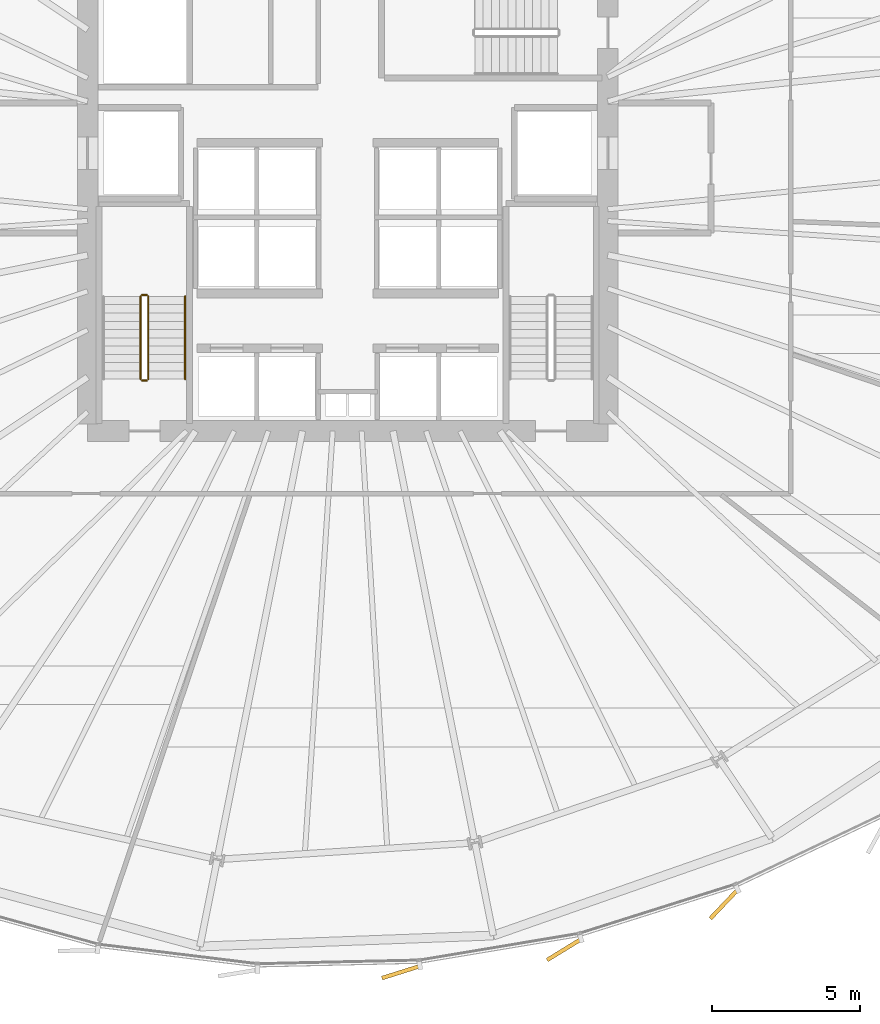
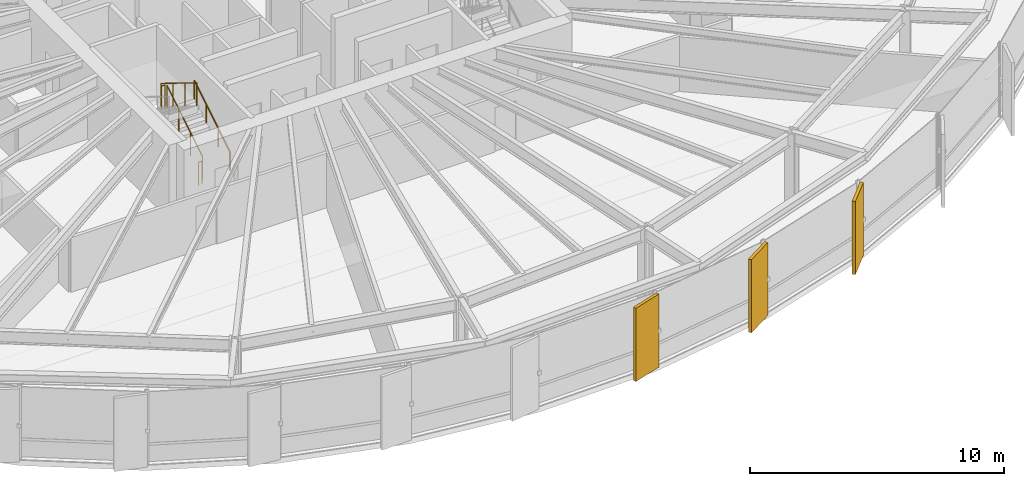
# One storey, part 35 of 38: 5 railings, 3 coverings.
"""IFC4 building model written with IfcOpenShell, lengths in metres."""

from ifc_helpers import new_model, si_unit, direction, frame, origin, origin_2d, place, context, subcontext, project, spatial, rectangle, circle, extrude, source, transform, mapped, material, layer, layer_set, type_object, element, save


model = new_model("IFC4")

# Units and contexts
model_context = context("Model", 3, precision=1e-05, world=origin(), true_north=direction((0.0, 1.0)))
body_context = subcontext(model_context, "Body", "Model", "MODEL_VIEW")
ifc_project = project(units=[si_unit("LENGTHUNIT", "METRE"), si_unit("AREAUNIT", "SQUARE_METRE"), si_unit("VOLUMEUNIT", "CUBIC_METRE"), si_unit("PLANEANGLEUNIT", "RADIAN"), si_unit("MASSUNIT", "GRAM", prefix="KILO"), si_unit("THERMODYNAMICTEMPERATUREUNIT", "KELVIN")], contexts=[model_context])

# Site, building, storey
site_placement = place(None, origin())
site = spatial("IfcSite", under=ifc_project, at=site_placement, CompositionType="ELEMENT")
building_placement = place(site_placement, origin())
building = spatial("IfcBuilding", under=site, at=building_placement, Name="Kethvar Cultural Tower", CompositionType="ELEMENT")
storey_placement = place(building_placement, frame((0.0, 0.0, 52.39990234375)))
storey = spatial("IfcBuildingStorey", under=building, at=storey_placement, Name="L12", CompositionType="ELEMENT", Elevation=52.39990234375)

# Railings
ifc_material_1 = material(Name="Steel S355J2", Category="steel")
railing_type_1 = type_object("IfcRailingType", Name="RL-STAIR-GUARD", PredefinedType="BALUSTRADE", material=ifc_material_1)
railing_1_placement = place(storey_placement, frame((40.050048828125, 21.85009765625, 0.1728515625)))
element("IfcRailing", 1, at=railing_1_placement, inside=storey, type_object=railing_type_1, Name="L12 ST-01 stair guard 1", PredefinedType="BALUSTRADE", context=body_context, shape_type="SweptSolid", body=[
    extrude(circle(Radius=0.02392578125, at=origin_2d()), frame((0.0, 0.0, 1.09619140625), z_axis=(0.0, 0.851069175582, 0.525053576669), x_axis=(-1.0, 0.0, 0.0)), (0.0, 0.0, 1.0), 3.289794921875),
    extrude(circle(Radius=0.02099609375, at=origin_2d()), origin(), (0.0, 0.0, 1.0), 1.072021484375),
    extrude(circle(Radius=0.02099609375, at=origin_2d()), frame((0.0, 0.933349609375, 0.57568359375)), (0.0, 0.0, 1.0), 1.072021484375),
    extrude(circle(Radius=0.02099609375, at=origin_2d()), frame((0.0, 1.866455078125, 1.151611328125)), (0.0, 0.0, 1.0), 1.072021484375),
    extrude(circle(Radius=0.02099609375, at=origin_2d()), frame((0.0, 2.7998046875, 1.727294921875)), (0.0, 0.0, 1.0), 1.072021484375),
])
railing_2_placement = place(storey_placement, frame((40.0, 24.699951171875, 1.900146484375)))
element("IfcRailing", 2, at=railing_2_placement, inside=storey, type_object=railing_type_1, Name="L12 ST-01 stair guard 2", PredefinedType="BALUSTRADE", context=body_context, shape_type="SweptSolid", body=[
    extrude(circle(Radius=0.02392578125, at=origin_2d()), frame((0.0, 0.0, 1.09619140625), z_axis=(-1.0, 0.0, 0.0), x_axis=(0.0, -1.0, 0.0)), (0.0, 0.0, 1.0), 0.159912109375),
    extrude(circle(Radius=0.02099609375, at=origin_2d()), origin(), (0.0, 0.0, 1.0), 1.072021484375),
    extrude(circle(Radius=0.02099609375, at=origin_2d()), frame((-0.159912109375, 0.0, 0.0)), (0.0, 0.0, 1.0), 1.072021484375),
])
railing_3_placement = place(storey_placement, frame((39.7900390625, 24.64990234375, 2.07275390625)))
element("IfcRailing", 3, at=railing_3_placement, inside=storey, type_object=railing_type_1, Name="L12 ST-01 stair guard 3", PredefinedType="BALUSTRADE", context=body_context, shape_type="SweptSolid", body=[
    extrude(circle(Radius=0.02392578125, at=origin_2d()), frame((0.0, 0.0, 1.09619140625), z_axis=(0.0, -0.851069175582, 0.525053576669), x_axis=(1.0, 0.0, 0.0)), (0.0, 0.0, 1.0), 3.289794921875),
    extrude(circle(Radius=0.02099609375, at=origin_2d()), origin(), (0.0, 0.0, 1.0), 1.072021484375),
    extrude(circle(Radius=0.02099609375, at=origin_2d()), frame((0.0, -0.933349609375, 0.57568359375)), (0.0, 0.0, 1.0), 1.072021484375),
    extrude(circle(Radius=0.02099609375, at=origin_2d()), frame((0.0, -1.866455078125, 1.151611328125)), (0.0, 0.0, 1.0), 1.072021484375),
    extrude(circle(Radius=0.02099609375, at=origin_2d()), frame((0.0, -2.7998046875, 1.727294921875)), (0.0, 0.0, 1.0), 1.072021484375),
])
railing_4_placement = place(storey_placement, frame((40.0, 21.800048828125, 0.0)))
element("IfcRailing", 4, at=railing_4_placement, inside=storey, type_object=railing_type_1, Name="L12 ST-01 stair guard 4", PredefinedType="BALUSTRADE", context=body_context, shape_type="SweptSolid", body=[
    extrude(circle(Radius=0.02392578125, at=origin_2d()), frame((0.0, 0.0, 1.09619140625), z_axis=(-1.0, 0.0, 0.0), x_axis=(0.0, -1.0, 0.0)), (0.0, 0.0, 1.0), 0.159912109375),
    extrude(circle(Radius=0.02099609375, at=origin_2d()), origin(), (0.0, 0.0, 1.0), 1.072021484375),
    extrude(circle(Radius=0.02099609375, at=origin_2d()), frame((-0.159912109375, 0.0, 0.0)), (0.0, 0.0, 1.0), 1.072021484375),
])
railing_type_2 = type_object("IfcRailingType", Name="RL-STAIR-HANDRAIL", PredefinedType="HANDRAIL", material=ifc_material_1)
railing_5_placement = place(storey_placement, frame((41.300048828125, 21.85009765625, 0.1728515625)))
element("IfcRailing", 5, at=railing_5_placement, inside=storey, type_object=railing_type_2, Name="L12 ST-01 stair handrail 1", PredefinedType="HANDRAIL", context=body_context, shape_type="SweptSolid", body=[
    extrude(circle(Radius=0.02392578125, at=origin_2d()), frame((0.0, 0.0, 0.8759765625), z_axis=(0.0, 0.851069175582, 0.525053576669), x_axis=(-1.0, 0.0, 0.0)), (0.0, 0.0, 1.0), 3.289794921875),
    extrude(circle(Radius=0.02099609375, at=origin_2d()), origin(), (0.0, 0.0, 1.0), 0.851806640625),
    extrude(circle(Radius=0.02099609375, at=origin_2d()), frame((0.0, 0.933349609375, 0.57568359375)), (0.0, 0.0, 1.0), 0.851806640625),
    extrude(circle(Radius=0.02099609375, at=origin_2d()), frame((0.0, 1.866455078125, 1.151611328125)), (0.0, 0.0, 1.0), 0.851806640625),
    extrude(circle(Radius=0.02099609375, at=origin_2d()), frame((0.0, 2.7998046875, 1.727294921875)), (0.0, 0.0, 1.0), 0.851806640625),
])

# Coverings
ifc_material_2 = material(Name="Extruded Architectural Terracotta", Category="masonry")
ifc_layer = layer(ifc_material_2, 0.135009765625, Name="Extruded Architectural Terracotta", Category="masonry")
ifc_layer_set = layer_set([ifc_layer], Name="Extruded Architectural Terracotta (135 mm)")
covering_type = type_object("IfcCoveringType", Name="Terracotta Facade Fin FIN-01", PredefinedType="CLADDING", material=ifc_layer_set)
shared_shape = source(origin(), body_context, "Body", "SweptSolid", [
    extrude(rectangle(XDim=1.35009765625, YDim=0.135009765625, at=origin_2d()), origin(), (0.0, 0.0, 1.0), 3.510009765625),
])
for number, where, z_axis, x_axis, name in (
    (6, (48.601806640625, 1.78564453125, 0.02001953125), (0.0, 0.0, 1.0), (-0.953821858768, -0.300372871173, 0.0), "L12 Vertical Terracotta Fin 5.4"),
    (7, (54.121826171875, 2.546142578125, 0.02001953125), (0.0, 0.0, 1.0), (-0.851818373963, -0.523837243597, 0.0), "L12 Vertical Terracotta Fin 5.5"),
    (8, (59.53466796875, 4.085693359375, 0.02001953125), (0.0, 0.0, 1.0), (-0.688354575694, -0.725374371012, 0.0), "L12 Vertical Terracotta Fin 5.6"),
):
    element("IfcCovering", number, at=place(storey_placement, frame(where, z_axis=z_axis, x_axis=x_axis)), inside=storey, type_object=covering_type, Name=name, PredefinedType="CLADDING", context=body_context, shape_type="MappedRepresentation", body=[
        mapped(shared_shape, transform((0.0, 0.0, 0.0), scale=1.0)),
    ])

save(model, "model.ifc")
